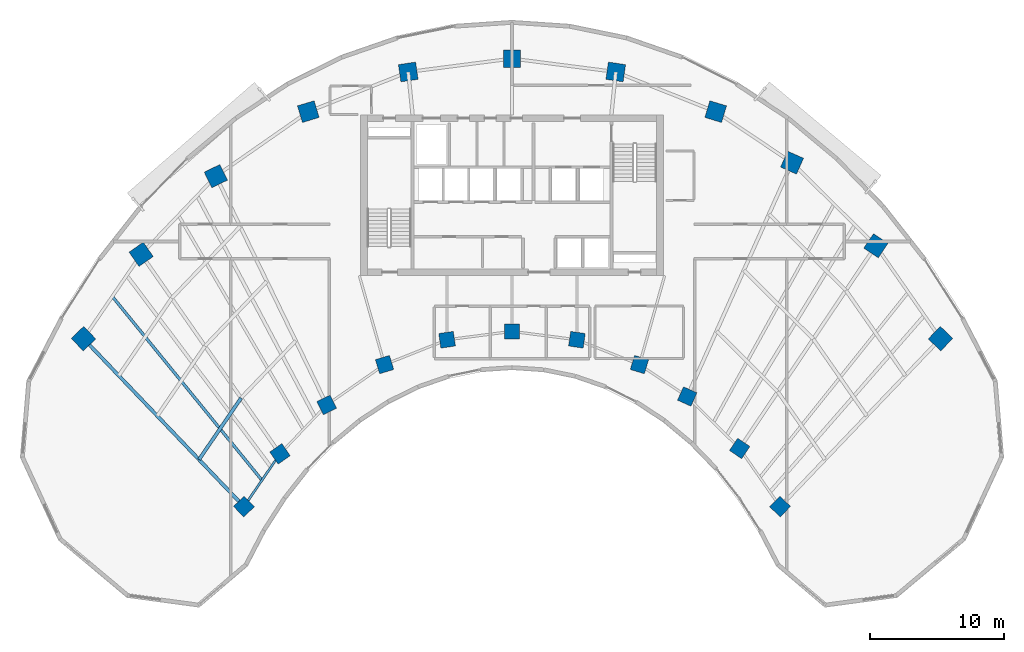
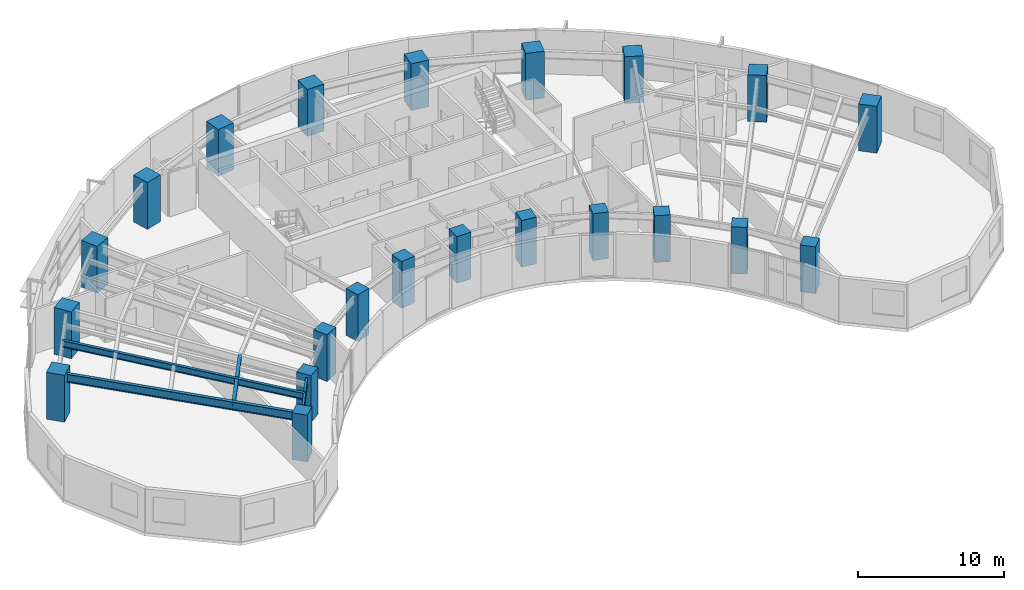
# One storey, part 1 of 14: 22 columns, 4 beams.
"""IFC4 building model written with IfcOpenShell, lengths in metres."""

from ifc_helpers import new_model, si_unit, direction, frame, origin, origin_2d, place, context, subcontext, project, spatial, rectangle, i_section, extrude, source, transform, mapped, material, material_profile, profile_set, type_object, type_shapes, element, save


model = new_model("IFC4")

# Units and contexts
model_context = context("Model", 3, precision=1e-05, world=origin(), true_north=direction((0.0, 1.0)))
body_context = subcontext(model_context, "Body", "Model", "MODEL_VIEW")
ifc_project = project(units=[si_unit("LENGTHUNIT", "METRE"), si_unit("AREAUNIT", "SQUARE_METRE"), si_unit("VOLUMEUNIT", "CUBIC_METRE"), si_unit("PLANEANGLEUNIT", "RADIAN"), si_unit("MASSUNIT", "GRAM", prefix="KILO")], contexts=[model_context])

# Site, building, storey
site_placement = place(None, origin())
site = spatial("IfcSite", under=ifc_project, at=site_placement, CompositionType="ELEMENT")
building_placement = place(site_placement, origin())
building = spatial("IfcBuilding", under=site, at=building_placement, Name="Breltana Convention Tower", CompositionType="ELEMENT")
storey_placement = place(building_placement, frame((0.0, 0.0, 111.60009765625)))
storey = spatial("IfcBuildingStorey", under=building, at=storey_placement, Name="L26", CompositionType="ELEMENT", Elevation=111.60009765625)

# Columns
ifc_material_1 = material(Name="Concrete C60/75", Category="concrete")
ifc_material_profile_1 = material_profile(ifc_material_1, rectangle(XDim=1.10009765625, YDim=1.10009765625, at=origin_2d()), Name="RC-COL-1100X1100")
ifc_profile_set_1 = profile_set([ifc_material_profile_1], Name="Concrete C60/75")
column_type_1 = type_object("IfcColumnType", Name="COL-RC-1100", PredefinedType="COLUMN", material=ifc_profile_set_1)
shared_shape_1 = source(origin(), body_context, "Body", "SweptSolid", [
    extrude(rectangle(XDim=1.10009765625, YDim=1.10009765625, at=origin_2d()), origin(), (0.0, 0.0, 1.0), 3.89990234375),
])
for number, where, z_axis, x_axis, name in (
    (1, (27.984619140625, 42.95458984375, 0.0), (0.0, 0.0, 1.0), (-0.690756218984, 0.723087716626, 0.0), "L26 Tower Column R01-IN"),
    (2, (30.67724609375, 46.892333984375, 0.0), (0.0, 0.0, 1.0), (-0.571143442153, 0.820850271661, 0.0), "L26 Tower Column R02-IN"),
    (3, (34.166259765625, 50.544921875, 0.0), (0.0, 0.0, 1.0), (-0.436173672171, 0.899862504889, 0.0), "L26 Tower Column R03-IN"),
    (4, (38.485107421875, 53.5576171875, 0.0), (0.0, 0.0, 1.0), (-0.288697611798, 0.957420330337, 0.0), "L26 Tower Column R04-IN"),
    (5, (43.153564453125, 55.41064453125, 0.0), (0.0, 0.0, 1.0), (-0.143492621991, 0.98965138682, 0.0), "L26 Tower Column R05-IN"),
    (6, (48.0, 56.035888671875, 0.0), (0.0, 0.0, 1.0), (0.0, 1.0, 0.0), "L26 Tower Column R06-IN"),
    (7, (52.846435546875, 55.41064453125, 0.0), (0.0, 0.0, 1.0), (0.143492621991, 0.98965138682, 0.0), "L26 Tower Column R07-IN"),
    (8, (57.514892578125, 53.5576171875, 0.0), (0.0, 0.0, 1.0), (0.288697611798, 0.957420330337, 0.0), "L26 Tower Column R08-IN"),
    (9, (61.08203125, 51.174560546875, 0.0), (0.0, 0.0, 1.0), (0.409126902895, 0.912477494148, 0.0), "L26 Tower Column R09-IN"),
    (10, (64.995849609375, 47.293701171875, 0.0), (0.0, 0.0, 1.0), (0.55774510898, 0.830012285095, 0.0), "L26 Tower Column R10-IN"),
    (11, (68.015380859375, 42.95458984375, 0.0), (0.0, 0.0, 1.0), (0.690756218984, 0.723087716626, 0.0), "L26 Tower Column R11-IN"),
):
    element("IfcColumn", number, at=place(storey_placement, frame(where, z_axis=z_axis, x_axis=x_axis)), inside=storey, type_object=column_type_1, Name=name, PredefinedType="COLUMN", context=body_context, shape_type="MappedRepresentation", body=[
        mapped(shared_shape_1, transform((0.0, 0.0, 0.0), scale=1.0)),
    ])
ifc_material_profile_2 = material_profile(ifc_material_1, rectangle(XDim=1.300048828125, YDim=1.300048828125, at=origin_2d()), Name="RC-COL-1300X1300")
ifc_profile_set_2 = profile_set([ifc_material_profile_2], Name="Concrete C60/75")
column_type_2 = type_object("IfcColumnType", Name="COL-RC-1300", PredefinedType="COLUMN", material=ifc_profile_set_2)
shared_shape_2 = source(origin(), body_context, "Body", "SweptSolid", [
    extrude(rectangle(XDim=1.300048828125, YDim=1.300048828125, at=origin_2d()), origin(), (0.0, 0.0, 1.0), 3.89990234375),
])
for number, where, z_axis, x_axis, name in (
    (12, (16.0068359375, 55.494384765625, 0.0), (0.0, 0.0, 1.0), (-0.690756218984, 0.723087716626, 0.0), "L26 Tower Column R01-OUT"),
    (13, (20.310791015625, 61.78857421875, 0.0), (0.0, 0.0, 1.0), (-0.571143442153, 0.820850271661, 0.0), "L26 Tower Column R02-OUT"),
    (14, (25.8876953125, 67.626953125, 0.0), (0.0, 0.0, 1.0), (-0.436173672171, 0.899862504889, 0.0), "L26 Tower Column R03-OUT"),
    (15, (32.791015625, 72.4423828125, 0.0), (0.0, 0.0, 1.0), (-0.288697611798, 0.957420330337, 0.0), "L26 Tower Column R04-OUT"),
    (16, (40.253173828125, 75.404296875, 0.0), (0.0, 0.0, 1.0), (-0.143492621991, 0.98965138682, 0.0), "L26 Tower Column R05-OUT"),
    (17, (48.0, 76.404052734375, 0.0), (0.0, 0.0, 1.0), (0.0, 1.0, 0.0), "L26 Tower Column R06-OUT"),
    (18, (55.746826171875, 75.404296875, 0.0), (0.0, 0.0, 1.0), (0.143492621991, 0.98965138682, 0.0), "L26 Tower Column R07-OUT"),
    (19, (63.208984375, 72.4423828125, 0.0), (0.0, 0.0, 1.0), (0.288697611798, 0.957420330337, 0.0), "L26 Tower Column R08-OUT"),
    (20, (68.910400390625, 68.63330078125, 0.0), (0.0, 0.0, 1.0), (0.409126902895, 0.912477494148, 0.0), "L26 Tower Column R09-OUT"),
    (21, (75.166748046875, 62.43017578125, 0.0), (0.0, 0.0, 1.0), (0.55774510898, 0.830012285095, 0.0), "L26 Tower Column R10-OUT"),
    (22, (79.9931640625, 55.494384765625, 0.0), (0.0, 0.0, 1.0), (0.690756218984, 0.723087716626, 0.0), "L26 Tower Column R11-OUT"),
):
    element("IfcColumn", number, at=place(storey_placement, frame(where, z_axis=z_axis, x_axis=x_axis)), inside=storey, type_object=column_type_2, Name=name, PredefinedType="COLUMN", context=body_context, shape_type="MappedRepresentation", body=[
        mapped(shared_shape_2, transform((0.0, 0.0, 0.0), scale=1.0)),
    ])

# Beams
ifc_material_2 = material(Name="Steel ASTM A992 Grade 50", Category="steel")
ifc_material_profile_3 = material_profile(ifc_material_2, i_section(OverallWidth=0.25390625, OverallDepth=0.68798828125, WebThickness=0.01318359375, FlangeThickness=0.02099609375, at=origin_2d()), Name="W27X102")
ifc_profile_set_3 = profile_set([ifc_material_profile_3], Name="Steel ASTM A992 Grade 50")
beam_type_1 = type_object("IfcBeamType", Name="BM-RG-W27X102", PredefinedType="USERDEFINED", material=ifc_profile_set_3)
shared_shape_3 = source(origin(), body_context, "Body", "SweptSolid", [
    extrude(i_section(OverallWidth=0.25390625, OverallDepth=0.68798828125, WebThickness=0.01318359375, FlangeThickness=0.02099609375, at=origin_2d()), origin(), (0.0, 0.0, 1.0), 17.341064453125),
])
type_shapes(beam_type_1, [shared_shape_3])
beam_1_placement = place(storey_placement, frame((27.984619140625, 42.95458984375, 3.305908203125), z_axis=(-0.690716462293, 0.723125693581, 0.0), x_axis=(-0.723125693581, -0.690716462293, 0.0)))
element("IfcBeam", 23, at=beam_1_placement, inside=storey, type_object=beam_type_1, Name="L26 Radial Floor Girder R01", ObjectType="GIRDER", PredefinedType="USERDEFINED", context=body_context, shape_type="MappedRepresentation", body=[
    mapped(shared_shape_3, transform((0.0, 0.0, 0.0), scale=1.0)),
])
ifc_material_profile_4 = material_profile(ifc_material_2, i_section(OverallWidth=0.166015625, OverallDepth=0.534912109375, WebThickness=0.01025390625, FlangeThickness=0.0166015625, at=origin_2d()), Name="W21X57")
ifc_profile_set_4 = profile_set([ifc_material_profile_4], Name="Steel ASTM A992 Grade 50")
beam_type_2 = type_object("IfcBeamType", Name="BM-BM-W21X57", PredefinedType="BEAM", material=ifc_profile_set_4)
shared_shape_4 = source(origin(), body_context, "Body", "SweptSolid", [
    extrude(i_section(OverallWidth=0.166015625, OverallDepth=0.534912109375, WebThickness=0.01025390625, FlangeThickness=0.0166015625, at=origin_2d()), origin(), (0.0, 0.0, 1.0), 4.770263671875),
])
beam_2_placement = place(storey_placement, frame((27.984619140625, 42.95458984375, 3.38232421875), z_axis=(0.564452719055, 0.82546540082, 0.0), x_axis=(-0.82546540082, 0.564452719055, 0.0)))
element("IfcBeam", 24, at=beam_2_placement, inside=storey, type_object=beam_type_2, Name="L26 Inner Ring Beam 01", PredefinedType="BEAM", context=body_context, shape_type="MappedRepresentation", body=[
    mapped(shared_shape_4, transform((0.0, 0.0, 0.0), scale=1.0)),
])
ifc_material_profile_5 = material_profile(ifc_material_2, i_section(OverallWidth=0.25390625, OverallDepth=0.305908203125, WebThickness=0.0087890625, FlangeThickness=0.0146484375, at=origin_2d()), Name="W12X53")
ifc_profile_set_5 = profile_set([ifc_material_profile_5], Name="Steel ASTM A992 Grade 50")
beam_type_3 = type_object("IfcBeamType", Name="BM-JSG-10", PredefinedType="JOIST", material=ifc_profile_set_5)
shared_shape_5 = source(origin(), body_context, "Body", "SweptSolid", [
    extrude(i_section(OverallWidth=0.25390625, OverallDepth=0.305908203125, WebThickness=0.0087890625, FlangeThickness=0.0146484375, at=origin_2d()), origin(), (0.0, 0.0, 1.0), 5.569580078125),
])
beam_3_placement = place(storey_placement, frame((24.630615234375, 46.4658203125, 3.496826171875), z_axis=(0.564493760458, 0.825437335237, 0.0), x_axis=(-0.825437335237, 0.564493760458, 0.0)))
element("IfcBeam", 25, at=beam_3_placement, inside=storey, type_object=beam_type_3, Name="L26 Composite Floor Joist 01.1", PredefinedType="JOIST", context=body_context, shape_type="MappedRepresentation", body=[
    mapped(shared_shape_5, transform((0.0, 0.0, 0.0), scale=1.0)),
])
ifc_material_profile_6 = material_profile(ifc_material_2, i_section(OverallWidth=0.214111328125, OverallDepth=0.549072265625, WebThickness=0.0146484375, FlangeThickness=0.023681640625, at=origin_2d()), Name="W21X93")
ifc_profile_set_6 = profile_set([ifc_material_profile_6], Name="Steel ASTM A992 Grade 50")
beam_type_4 = type_object("IfcBeamType", Name="BM-JSG-03", PredefinedType="JOIST", material=ifc_profile_set_6)
shared_shape_6 = source(origin(), body_context, "Body", "SweptSolid", [
    extrude(i_section(OverallWidth=0.214111328125, OverallDepth=0.549072265625, WebThickness=0.0146484375, FlangeThickness=0.023681640625, at=origin_2d()), origin(), (0.0, 0.0, 1.0), 17.691650390625),
])
beam_4_placement = place(storey_placement, frame((29.330810546875, 44.923583984375, 3.37548828125), z_axis=(-0.631476958478, 0.775394642044, 0.0), x_axis=(-0.775394642044, -0.631476958478, 0.0)))
element("IfcBeam", 26, at=beam_4_placement, inside=storey, type_object=beam_type_4, Name="L26 Mid-Bay Radial Trimmer 01", PredefinedType="JOIST", context=body_context, shape_type="MappedRepresentation", body=[
    mapped(shared_shape_6, transform((0.0, 0.0, 0.0), scale=1.0)),
])

save(model, "model.ifc")
